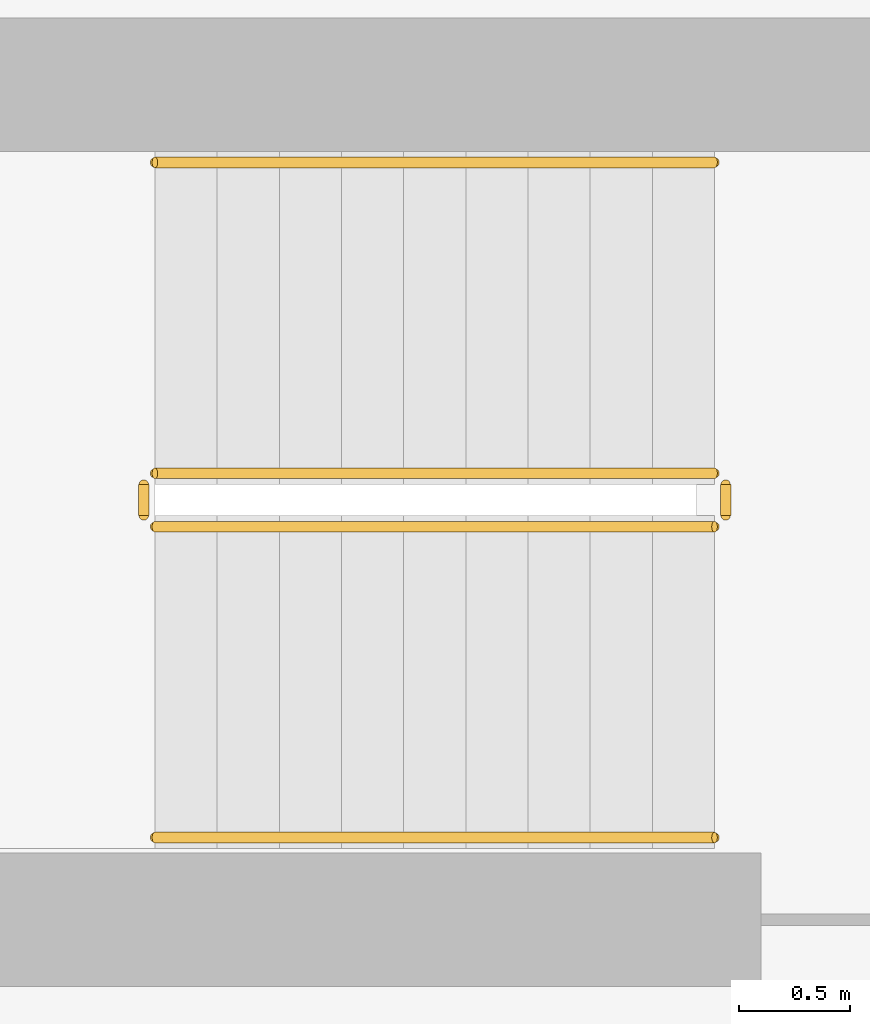
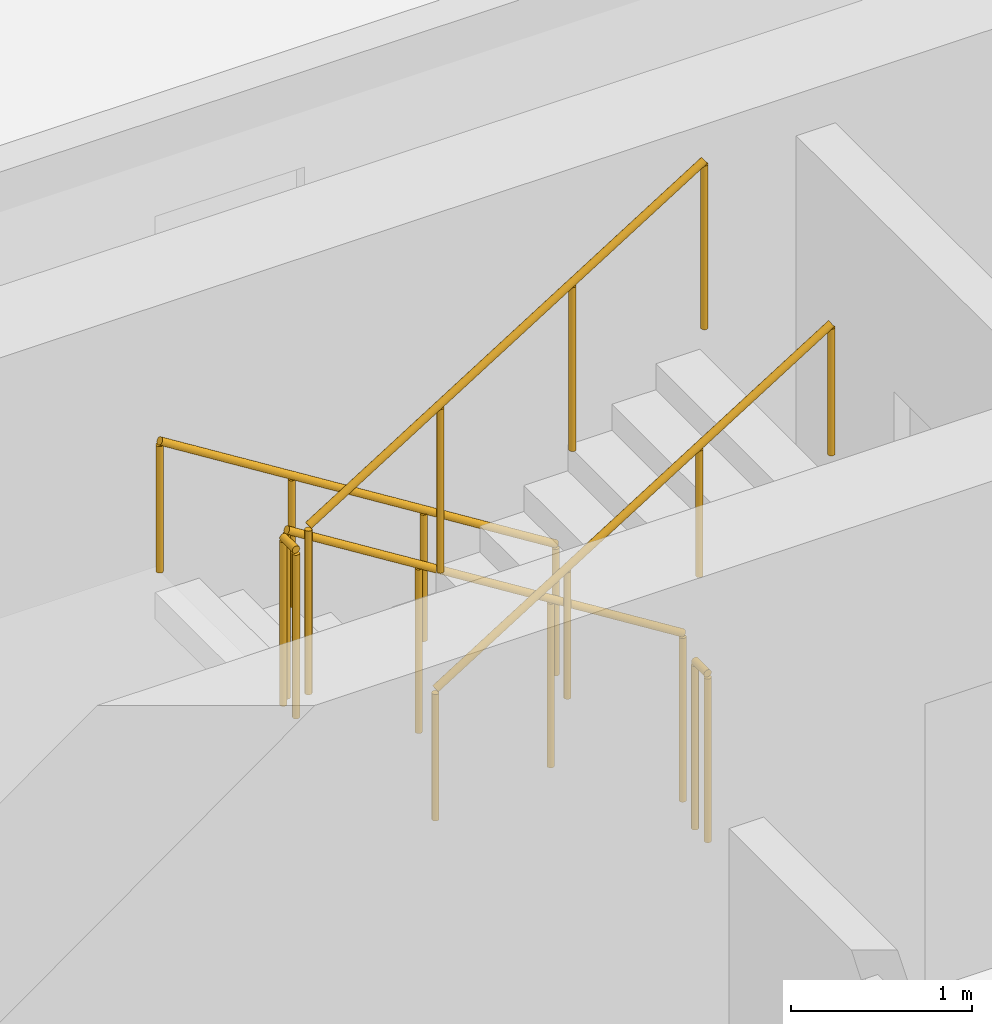
# One storey, part 20 of 22: 6 railings.
"""IFC4 building model written with IfcOpenShell, lengths in metres."""

from ifc_helpers import new_model, si_unit, derived_unit, direction, frame, origin, origin_2d, place, context, subcontext, project, spatial, circle, extrude, material, type_object, element, save


model = new_model("IFC4")

# Units and contexts
model_context = context("Model", 3, precision=1e-05, world=origin(), true_north=direction((0.0, 1.0)))
body_context = subcontext(model_context, "Body", "Model", "MODEL_VIEW")
ifc_project = project(units=[si_unit("LENGTHUNIT", "METRE"), si_unit("AREAUNIT", "SQUARE_METRE"), si_unit("VOLUMEUNIT", "CUBIC_METRE"), si_unit("PLANEANGLEUNIT", "RADIAN"), si_unit("MASSUNIT", "GRAM", prefix="KILO"), derived_unit("THERMALTRANSMITTANCEUNIT", [(si_unit("POWERUNIT", "WATT"), 1), (si_unit("LENGTHUNIT", "METRE"), -2), (si_unit("THERMODYNAMICTEMPERATUREUNIT", "KELVIN"), -1)])], contexts=[model_context])

# Site, building, storey
site_placement = place(None, origin())
site = spatial("IfcSite", under=ifc_project, at=site_placement, CompositionType="ELEMENT")
building_placement = place(site_placement, origin())
building = spatial("IfcBuilding", under=site, at=building_placement, Name="Kivonza Crest Hotel", CompositionType="ELEMENT")
storey_placement = place(building_placement, frame((0.0, 0.0, 27.5)))
storey = spatial("IfcBuildingStorey", under=building, at=storey_placement, Name="L06", CompositionType="ELEMENT", Elevation=27.5)

# Railings
ifc_material_1 = material(Name="Brushed stainless steel handrail", Category="steel")
railing_type_1 = type_object("IfcRailingType", Name="RL-HAND-900", PredefinedType="HANDRAIL", material=ifc_material_1)
railing_1_placement = place(storey_placement, frame((12.239990234375, 36.110107421875, 0.175048828125)))
element("IfcRailing", 1, at=railing_1_placement, inside=storey, type_object=railing_type_1, Name="L06 ST-T1-N stair handrail 1", PredefinedType="HANDRAIL", context=body_context, shape_type="SweptSolid", body=[
    extrude(circle(Radius=0.02392578125, at=origin_2d()), frame((0.0, 0.0, 0.8759765625), z_axis=(-0.848007534815, 0.0, 0.529984170421), x_axis=(0.0, -1.0, 0.0)), (0.0, 0.0, 1.0), 2.9716796875),
    extrude(circle(Radius=0.02099609375, at=origin_2d()), origin(), (0.0, 0.0, 1.0), 0.851806640625),
    extrude(circle(Radius=0.02099609375, at=origin_2d()), frame((-0.840087890625, 0.0, 0.52490234375)), (0.0, 0.0, 1.0), 0.851806640625),
    extrude(circle(Radius=0.02099609375, at=origin_2d()), frame((-1.679931640625, 0.0, 1.050048828125)), (0.0, 0.0, 1.0), 0.851806640625),
    extrude(circle(Radius=0.02099609375, at=origin_2d()), frame((-2.52001953125, 0.0, 1.574951171875)), (0.0, 0.0, 1.0), 0.851806640625),
])
railing_2_placement = place(storey_placement, frame((9.719970703125, 33.070068359375, 1.925048828125)))
element("IfcRailing", 2, at=railing_2_placement, inside=storey, type_object=railing_type_1, Name="L06 ST-T1-N stair handrail 2", PredefinedType="HANDRAIL", context=body_context, shape_type="SweptSolid", body=[
    extrude(circle(Radius=0.02392578125, at=origin_2d()), frame((0.0, 0.0, 0.8759765625), z_axis=(0.848007534815, 0.0, 0.529984170421), x_axis=(0.0, 1.0, 0.0)), (0.0, 0.0, 1.0), 2.9716796875),
    extrude(circle(Radius=0.02099609375, at=origin_2d()), origin(), (0.0, 0.0, 1.0), 0.851806640625),
    extrude(circle(Radius=0.02099609375, at=origin_2d()), frame((0.840087890625, 0.0, 0.52490234375)), (0.0, 0.0, 1.0), 0.851806640625),
    extrude(circle(Radius=0.02099609375, at=origin_2d()), frame((1.679931640625, 0.0, 1.050048828125)), (0.0, 0.0, 1.0), 0.851806640625),
    extrude(circle(Radius=0.02099609375, at=origin_2d()), frame((2.52001953125, 0.0, 1.574951171875)), (0.0, 0.0, 1.0), 0.851806640625),
])
ifc_material_2 = material(Name="Painted steel balustrade", Category="steel")
railing_type_2 = type_object("IfcRailingType", Name="RL-STAIR-1150", PredefinedType="BALUSTRADE", material=ifc_material_2)
railing_3_placement = place(storey_placement, frame((12.239990234375, 34.7099609375, 0.175048828125)))
element("IfcRailing", 3, at=railing_3_placement, inside=storey, type_object=railing_type_2, Name="L06 ST-T1-N stair guard 1", PredefinedType="BALUSTRADE", context=body_context, shape_type="SweptSolid", body=[
    extrude(circle(Radius=0.02392578125, at=origin_2d()), frame((0.0, 0.0, 1.1259765625), z_axis=(-0.848007534815, 0.0, 0.529984170421), x_axis=(0.0, -1.0, 0.0)), (0.0, 0.0, 1.0), 2.9716796875),
    extrude(circle(Radius=0.02099609375, at=origin_2d()), origin(), (0.0, 0.0, 1.0), 1.101806640625),
    extrude(circle(Radius=0.02099609375, at=origin_2d()), frame((-0.840087890625, 0.0, 0.52490234375)), (0.0, 0.0, 1.0), 1.101806640625),
    extrude(circle(Radius=0.02099609375, at=origin_2d()), frame((-1.679931640625, 0.0, 1.050048828125)), (0.0, 0.0, 1.0), 1.101806640625),
    extrude(circle(Radius=0.02099609375, at=origin_2d()), frame((-2.52001953125, 0.0, 1.574951171875)), (0.0, 0.0, 1.0), 1.101806640625),
])
railing_4_placement = place(storey_placement, frame((9.669921875, 34.659912109375, 1.75)))
element("IfcRailing", 4, at=railing_4_placement, inside=storey, type_object=railing_type_2, Name="L06 ST-T1-N stair guard 2", PredefinedType="BALUSTRADE", context=body_context, shape_type="SweptSolid", body=[
    extrude(circle(Radius=0.02392578125, at=origin_2d()), frame((0.0, 0.0, 1.1259765625), z_axis=(0.0, -1.0, 0.0), x_axis=(1.0, 0.0, 0.0)), (0.0, 0.0, 1.0), 0.139892578125),
    extrude(circle(Radius=0.02099609375, at=origin_2d()), origin(), (0.0, 0.0, 1.0), 1.101806640625),
    extrude(circle(Radius=0.02099609375, at=origin_2d()), frame((0.0, -0.139892578125, 0.0)), (0.0, 0.0, 1.0), 1.101806640625),
])
railing_5_placement = place(storey_placement, frame((9.719970703125, 34.469970703125, 1.925048828125)))
element("IfcRailing", 5, at=railing_5_placement, inside=storey, type_object=railing_type_2, Name="L06 ST-T1-N stair guard 3", PredefinedType="BALUSTRADE", context=body_context, shape_type="SweptSolid", body=[
    extrude(circle(Radius=0.02392578125, at=origin_2d()), frame((0.0, 0.0, 1.1259765625), z_axis=(0.848007534815, 0.0, 0.529984170421), x_axis=(0.0, 1.0, 0.0)), (0.0, 0.0, 1.0), 2.9716796875),
    extrude(circle(Radius=0.02099609375, at=origin_2d()), origin(), (0.0, 0.0, 1.0), 1.101806640625),
    extrude(circle(Radius=0.02099609375, at=origin_2d()), frame((0.840087890625, 0.0, 0.52490234375)), (0.0, 0.0, 1.0), 1.101806640625),
    extrude(circle(Radius=0.02099609375, at=origin_2d()), frame((1.679931640625, 0.0, 1.050048828125)), (0.0, 0.0, 1.0), 1.101806640625),
    extrude(circle(Radius=0.02099609375, at=origin_2d()), frame((2.52001953125, 0.0, 1.574951171875)), (0.0, 0.0, 1.0), 1.101806640625),
])
railing_6_placement = place(storey_placement, frame((12.2900390625, 34.659912109375, 0.0)))
element("IfcRailing", 6, at=railing_6_placement, inside=storey, type_object=railing_type_2, Name="L06 ST-T1-N stair guard 4", PredefinedType="BALUSTRADE", context=body_context, shape_type="SweptSolid", body=[
    extrude(circle(Radius=0.02392578125, at=origin_2d()), frame((0.0, 0.0, 1.1259765625), z_axis=(0.0, -1.0, 0.0), x_axis=(1.0, 0.0, 0.0)), (0.0, 0.0, 1.0), 0.139892578125),
    extrude(circle(Radius=0.02099609375, at=origin_2d()), origin(), (0.0, 0.0, 1.0), 1.101806640625),
    extrude(circle(Radius=0.02099609375, at=origin_2d()), frame((0.0, -0.139892578125, 0.0)), (0.0, 0.0, 1.0), 1.101806640625),
])

save(model, "model.ifc")
